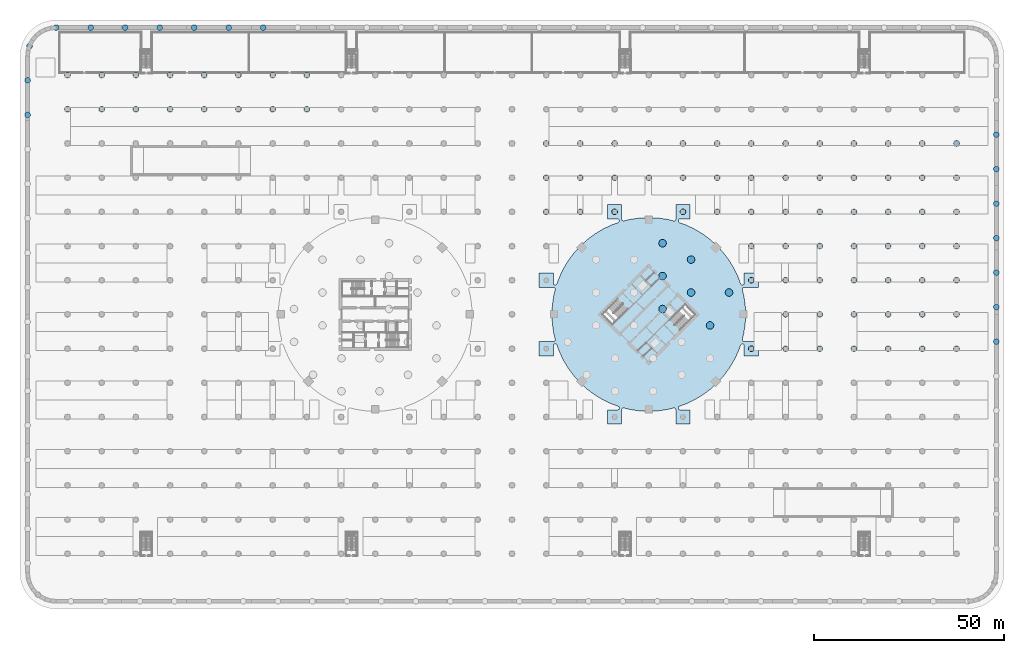
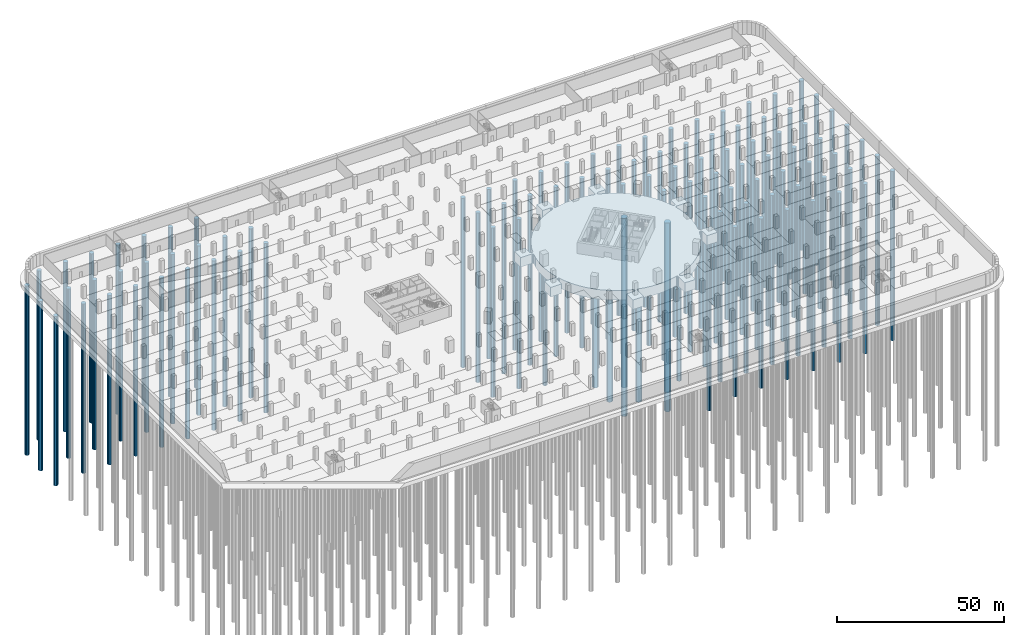
# One storey, part 4 of 39: 105 piles, 1 footing.
"""IFC4 building model written with IfcOpenShell, lengths in metres."""

from ifc_helpers import new_model, si_unit, direction, frame, origin, origin_2d, place, context, subcontext, project, spatial, polyline, circle, outline, extrude, material, layer, layer_set, material_profile, profile_set, type_object, element, save


model = new_model("IFC4")

# Units and contexts
model_context = context("Model", 3, precision=1e-05, world=origin(), true_north=direction((0.0, 1.0)))
body_context = subcontext(model_context, "Body", "Model", "MODEL_VIEW")
ifc_project = project(units=[si_unit("LENGTHUNIT", "METRE"), si_unit("AREAUNIT", "SQUARE_METRE"), si_unit("VOLUMEUNIT", "CUBIC_METRE"), si_unit("PLANEANGLEUNIT", "RADIAN"), si_unit("MASSUNIT", "GRAM", prefix="KILO")], contexts=[model_context])

# Site, building, storey
site_placement = place(None, origin())
site = spatial("IfcSite", under=ifc_project, at=site_placement, CompositionType="ELEMENT")
building_placement = place(site_placement, origin())
building = spatial("IfcBuilding", under=site, at=building_placement, Name="Ogive Gate Towers", CompositionType="ELEMENT")
storey_placement = place(building_placement, frame((0.0, 0.0, -9.0)))
storey = spatial("IfcBuildingStorey", under=building, at=storey_placement, Name="B2", CompositionType="ELEMENT", Elevation=-9.0)

# Piles
ifc_material = material(Name="Concrete C40/50", Category="concrete")
ifc_material_profile_1 = material_profile(ifc_material, circle(Radius=0.75, at=origin_2d()), Name="BP 1500")
ifc_profile_set_1 = profile_set([ifc_material_profile_1], Name="Concrete C40/50")
pile_type_1 = type_object("IfcPileType", Name="Bored pile 1500", PredefinedType="BORED", material=ifc_profile_set_1)
for number, where, z_axis, x_axis, name in (
    (1, (27.0, 27.0, -3.800048828125), (0.0, 0.0, -1.0), (1.0, 0.0, 0.0), "BS/B2/SPL035"),
    (2, (45.0, 27.0, -3.800048828125), (0.0, 0.0, -1.0), (1.0, 0.0, 0.0), "BS/B2/SPL037"),
    (3, (63.0, -9.0, -3.800048828125), (0.0, 0.0, -1.0), (1.0, 0.0, 0.0), "BS/B2/SPL038"),
    (4, (63.0, 9.0, -3.800048828125), (0.0, 0.0, -1.0), (1.0, 0.0, 0.0), "BS/B2/SPL039"),
    (5, (-117.0, 54.0, -1.800048828125), (0.0, 0.0, -1.0), (1.0, 0.0, 0.0), "BS/B2/SPL076"),
    (6, (-117.0, 63.0, -1.800048828125), (0.0, 0.0, -1.0), (1.0, 0.0, 0.0), "BS/B2/SPL077"),
    (7, (-108.0, 54.0, -1.800048828125), (0.0, 0.0, -1.0), (1.0, 0.0, 0.0), "BS/B2/SPL091"),
    (8, (-108.0, 63.0, -1.800048828125), (0.0, 0.0, -1.0), (1.0, 0.0, 0.0), "BS/B2/SPL092"),
    (9, (-99.0, 54.0, -1.800048828125), (0.0, 0.0, -1.0), (1.0, 0.0, 0.0), "BS/B2/SPL106"),
    (10, (-99.0, 63.0, -1.800048828125), (0.0, 0.0, -1.0), (1.0, 0.0, 0.0), "BS/B2/SPL107"),
    (11, (-90.0, 54.0, -1.800048828125), (0.0, 0.0, -1.0), (1.0, 0.0, 0.0), "BS/B2/SPL121"),
    (12, (-90.0, 63.0, -1.800048828125), (0.0, 0.0, -1.0), (1.0, 0.0, 0.0), "BS/B2/SPL122"),
    (13, (-81.0, 54.0, -1.800048828125), (0.0, 0.0, -1.0), (1.0, 0.0, 0.0), "BS/B2/SPL136"),
    (14, (-81.0, 63.0, -1.800048828125), (0.0, 0.0, -1.0), (1.0, 0.0, 0.0), "BS/B2/SPL137"),
    (15, (-72.0, 54.0, -1.800048828125), (0.0, 0.0, -1.0), (1.0, 0.0, 0.0), "BS/B2/SPL151"),
    (16, (-72.0, 63.0, -1.800048828125), (0.0, 0.0, -1.0), (1.0, 0.0, 0.0), "BS/B2/SPL152"),
    (17, (-63.0, 54.0, -1.800048828125), (0.0, 0.0, -1.0), (1.0, 0.0, 0.0), "BS/B2/SPL163"),
    (18, (-63.0, 63.0, -1.800048828125), (0.0, 0.0, -1.0), (1.0, 0.0, 0.0), "BS/B2/SPL164"),
    (19, (-54.0, 54.0, -1.800048828125), (0.0, 0.0, -1.0), (1.0, 0.0, 0.0), "BS/B2/SPL173"),
    (20, (-54.0, 63.0, -1.800048828125), (0.0, 0.0, -1.0), (1.0, 0.0, 0.0), "BS/B2/SPL174"),
    (21, (9.0, 27.0, -1.800048828125), (0.0, 0.0, -1.0), (1.0, 0.0, 0.0), "BS/B2/SPL243"),
    (22, (9.0, 36.0, -1.800048828125), (0.0, 0.0, -1.0), (1.0, 0.0, 0.0), "BS/B2/SPL244"),
    (23, (9.0, 45.0, -1.800048828125), (0.0, 0.0, -1.0), (1.0, 0.0, 0.0), "BS/B2/SPL245"),
    (24, (18.0, 27.0, -1.800048828125), (0.0, 0.0, -1.0), (1.0, 0.0, 0.0), "BS/B2/SPL253"),
    (25, (18.0, 36.0, -1.800048828125), (0.0, 0.0, -1.0), (1.0, 0.0, 0.0), "BS/B2/SPL254"),
    (26, (18.0, 45.0, -1.800048828125), (0.0, 0.0, -1.0), (1.0, 0.0, 0.0), "BS/B2/SPL255"),
    (27, (27.0, 36.0, -1.800048828125), (0.0, 0.0, -1.0), (1.0, 0.0, 0.0), "BS/B2/SPL262"),
    (28, (27.0, 45.0, -1.800048828125), (0.0, 0.0, -1.0), (1.0, 0.0, 0.0), "BS/B2/SPL263"),
    (29, (36.0, 36.0, -1.800048828125), (0.0, 0.0, -1.0), (1.0, 0.0, 0.0), "BS/B2/SPL270"),
    (30, (36.0, 45.0, -1.800048828125), (0.0, 0.0, -1.0), (1.0, 0.0, 0.0), "BS/B2/SPL271"),
    (31, (45.0, 36.0, -1.800048828125), (0.0, 0.0, -1.0), (1.0, 0.0, 0.0), "BS/B2/SPL278"),
    (32, (45.0, 45.0, -1.800048828125), (0.0, 0.0, -1.0), (1.0, 0.0, 0.0), "BS/B2/SPL279"),
    (33, (54.0, 27.0, -1.800048828125), (0.0, 0.0, -1.0), (1.0, 0.0, 0.0), "BS/B2/SPL287"),
    (34, (54.0, 36.0, -1.800048828125), (0.0, 0.0, -1.0), (1.0, 0.0, 0.0), "BS/B2/SPL288"),
    (35, (54.0, 45.0, -1.800048828125), (0.0, 0.0, -1.0), (1.0, 0.0, 0.0), "BS/B2/SPL289"),
    (36, (63.0, 18.0, -1.800048828125), (0.0, 0.0, -1.0), (1.0, 0.0, 0.0), "BS/B2/SPL298"),
    (37, (63.0, 27.0, -1.800048828125), (0.0, 0.0, -1.0), (1.0, 0.0, 0.0), "BS/B2/SPL299"),
    (38, (63.0, 36.0, -1.800048828125), (0.0, 0.0, -1.0), (1.0, 0.0, 0.0), "BS/B2/SPL300"),
    (39, (63.0, 45.0, -1.800048828125), (0.0, 0.0, -1.0), (1.0, 0.0, 0.0), "BS/B2/SPL301"),
    (40, (72.0, -9.0, -1.800048828125), (0.0, 0.0, -1.0), (1.0, 0.0, 0.0), "BS/B2/SPL310"),
    (41, (72.0, 0.0, -1.800048828125), (0.0, 0.0, -1.0), (1.0, 0.0, 0.0), "BS/B2/SPL311"),
    (42, (72.0, 9.0, -1.800048828125), (0.0, 0.0, -1.0), (1.0, 0.0, 0.0), "BS/B2/SPL312"),
    (43, (72.0, 18.0, -1.800048828125), (0.0, 0.0, -1.0), (1.0, 0.0, 0.0), "BS/B2/SPL313"),
    (44, (72.0, 27.0, -1.800048828125), (0.0, 0.0, -1.0), (1.0, 0.0, 0.0), "BS/B2/SPL314"),
    (45, (72.0, 36.0, -1.800048828125), (0.0, 0.0, -1.0), (1.0, 0.0, 0.0), "BS/B2/SPL315"),
    (46, (72.0, 45.0, -1.800048828125), (0.0, 0.0, -1.0), (1.0, 0.0, 0.0), "BS/B2/SPL316"),
    (47, (81.0, -9.0, -1.800048828125), (0.0, 0.0, -1.0), (1.0, 0.0, 0.0), "BS/B2/SPL325"),
    (48, (81.0, 0.0, -1.800048828125), (0.0, 0.0, -1.0), (1.0, 0.0, 0.0), "BS/B2/SPL326"),
    (49, (81.0, 9.0, -1.800048828125), (0.0, 0.0, -1.0), (1.0, 0.0, 0.0), "BS/B2/SPL327"),
    (50, (81.0, 18.0, -1.800048828125), (0.0, 0.0, -1.0), (1.0, 0.0, 0.0), "BS/B2/SPL328"),
    (51, (81.0, 27.0, -1.800048828125), (0.0, 0.0, -1.0), (1.0, 0.0, 0.0), "BS/B2/SPL329"),
    (52, (81.0, 36.0, -1.800048828125), (0.0, 0.0, -1.0), (1.0, 0.0, 0.0), "BS/B2/SPL330"),
    (53, (81.0, 45.0, -1.800048828125), (0.0, 0.0, -1.0), (1.0, 0.0, 0.0), "BS/B2/SPL331"),
    (54, (90.0, -9.0, -1.800048828125), (0.0, 0.0, -1.0), (1.0, 0.0, 0.0), "BS/B2/SPL340"),
    (55, (90.0, 0.0, -1.800048828125), (0.0, 0.0, -1.0), (1.0, 0.0, 0.0), "BS/B2/SPL341"),
    (56, (90.0, 9.0, -1.800048828125), (0.0, 0.0, -1.0), (1.0, 0.0, 0.0), "BS/B2/SPL342"),
    (57, (90.0, 18.0, -1.800048828125), (0.0, 0.0, -1.0), (1.0, 0.0, 0.0), "BS/B2/SPL343"),
    (58, (90.0, 27.0, -1.800048828125), (0.0, 0.0, -1.0), (1.0, 0.0, 0.0), "BS/B2/SPL344"),
    (59, (90.0, 36.0, -1.800048828125), (0.0, 0.0, -1.0), (1.0, 0.0, 0.0), "BS/B2/SPL345"),
    (60, (90.0, 45.0, -1.800048828125), (0.0, 0.0, -1.0), (1.0, 0.0, 0.0), "BS/B2/SPL346"),
    (61, (99.0, -9.0, -1.800048828125), (0.0, 0.0, -1.0), (1.0, 0.0, 0.0), "BS/B2/SPL355"),
    (62, (99.0, 0.0, -1.800048828125), (0.0, 0.0, -1.0), (1.0, 0.0, 0.0), "BS/B2/SPL356"),
    (63, (99.0, 9.0, -1.800048828125), (0.0, 0.0, -1.0), (1.0, 0.0, 0.0), "BS/B2/SPL357"),
    (64, (99.0, 18.0, -1.800048828125), (0.0, 0.0, -1.0), (1.0, 0.0, 0.0), "BS/B2/SPL358"),
    (65, (99.0, 27.0, -1.800048828125), (0.0, 0.0, -1.0), (1.0, 0.0, 0.0), "BS/B2/SPL359"),
    (66, (99.0, 36.0, -1.800048828125), (0.0, 0.0, -1.0), (1.0, 0.0, 0.0), "BS/B2/SPL360"),
    (67, (99.0, 45.0, -1.800048828125), (0.0, 0.0, -1.0), (1.0, 0.0, 0.0), "BS/B2/SPL361"),
    (68, (108.0, -9.0, -1.800048828125), (0.0, 0.0, -1.0), (1.0, 0.0, 0.0), "BS/B2/SPL370"),
    (69, (108.0, 0.0, -1.800048828125), (0.0, 0.0, -1.0), (1.0, 0.0, 0.0), "BS/B2/SPL371"),
    (70, (108.0, 9.0, -1.800048828125), (0.0, 0.0, -1.0), (1.0, 0.0, 0.0), "BS/B2/SPL372"),
    (71, (108.0, 18.0, -1.800048828125), (0.0, 0.0, -1.0), (1.0, 0.0, 0.0), "BS/B2/SPL373"),
    (72, (108.0, 27.0, -1.800048828125), (0.0, 0.0, -1.0), (1.0, 0.0, 0.0), "BS/B2/SPL374"),
    (73, (108.0, 36.0, -1.800048828125), (0.0, 0.0, -1.0), (1.0, 0.0, 0.0), "BS/B2/SPL375"),
    (74, (108.0, 45.0, -1.800048828125), (0.0, 0.0, -1.0), (1.0, 0.0, 0.0), "BS/B2/SPL376"),
    (75, (117.0, -9.0, -1.800048828125), (0.0, 0.0, -1.0), (1.0, 0.0, 0.0), "BS/B2/SPL385"),
    (76, (117.0, 0.0, -1.800048828125), (0.0, 0.0, -1.0), (1.0, 0.0, 0.0), "BS/B2/SPL386"),
    (77, (117.0, 9.0, -1.800048828125), (0.0, 0.0, -1.0), (1.0, 0.0, 0.0), "BS/B2/SPL387"),
    (78, (117.0, 18.0, -1.800048828125), (0.0, 0.0, -1.0), (1.0, 0.0, 0.0), "BS/B2/SPL388"),
    (79, (117.0, 27.0, -1.800048828125), (0.0, 0.0, -1.0), (1.0, 0.0, 0.0), "BS/B2/SPL389"),
    (80, (117.0, 36.0, -1.800048828125), (0.0, 0.0, -1.0), (1.0, 0.0, 0.0), "BS/B2/SPL390"),
    (81, (117.0, 45.0, -1.800048828125), (0.0, 0.0, -1.0), (1.0, 0.0, 0.0), "BS/B2/SPL391"),
    (82, (-127.5, 52.54296875, -1.800048828125), (0.0, 0.0, -1.0), (1.0, 0.0, 0.0), "BS/B2/SPL435"),
    (83, (-127.5, 61.623046875, -1.800048828125), (0.0, 0.0, -1.0), (1.0, 0.0, 0.0), "BS/B2/SPL436"),
    (84, (-126.99609375, 70.64306640625, -1.800048828125), (0.0, 0.0, -1.0), (1.0, 0.0, 0.0), "BS/B2/SPL437"),
    (85, (-119.97509765625, 75.5, -1.800048828125), (0.0, 0.0, -1.0), (1.0, 0.0, 0.0), "BS/B2/SPL438"),
    (86, (-110.89599609375, 75.5, -1.800048828125), (0.0, 0.0, -1.0), (1.0, 0.0, 0.0), "BS/B2/SPL439"),
    (87, (-101.81591796875, 75.5, -1.800048828125), (0.0, 0.0, -1.0), (1.0, 0.0, 0.0), "BS/B2/SPL440"),
    (88, (-92.736083984375, 75.5, -1.800048828125), (0.0, 0.0, -1.0), (1.0, 0.0, 0.0), "BS/B2/SPL441"),
    (89, (-83.656005859375, 75.5, -1.800048828125), (0.0, 0.0, -1.0), (1.0, 0.0, 0.0), "BS/B2/SPL442"),
    (90, (-74.575927734375, 75.5, -1.800048828125), (0.0, 0.0, -1.0), (1.0, 0.0, 0.0), "BS/B2/SPL443"),
    (91, (-65.49609375, 75.5, -1.800048828125), (0.0, 0.0, -1.0), (1.0, 0.0, 0.0), "BS/B2/SPL444"),
    (92, (127.5, 47.3359375, -1.800048828125), (0.0, 0.0, -1.0), (1.0, 0.0, 0.0), "BS/B2/SPL468"),
    (93, (127.5, 38.256103515625, -1.800048828125), (0.0, 0.0, -1.0), (1.0, 0.0, 0.0), "BS/B2/SPL469"),
    (94, (127.5, 29.176025390625, -1.800048828125), (0.0, 0.0, -1.0), (1.0, 0.0, 0.0), "BS/B2/SPL470"),
    (95, (127.5, 20.095947265625, -1.800048828125), (0.0, 0.0, -1.0), (1.0, 0.0, 0.0), "BS/B2/SPL471"),
    (96, (127.5, 11.01611328125, -1.800048828125), (0.0, 0.0, -1.0), (1.0, 0.0, 0.0), "BS/B2/SPL472"),
    (97, (127.5, 1.93603515625, -1.800048828125), (0.0, 0.0, -1.0), (1.0, 0.0, 0.0), "BS/B2/SPL473"),
    (98, (127.5, -7.14404296875, -1.800048828125), (0.0, 0.0, -1.0), (1.0, 0.0, 0.0), "BS/B2/SPL474"),
):
    element("IfcPile", number, at=place(storey_placement, frame(where, z_axis=z_axis, x_axis=x_axis)), inside=storey, type_object=pile_type_1, Name=name, PredefinedType="BORED", context=body_context, shape_type="SweptSolid", body=[
        extrude(circle(Radius=0.75, at=origin_2d()), origin(), (0.0, 0.0, 1.0), 62.0),
    ])
ifc_material_profile_2 = material_profile(ifc_material, circle(Radius=1.0, at=origin_2d()), Name="BP 2000")
ifc_profile_set_2 = profile_set([ifc_material_profile_2], Name="Concrete C40/50")
pile_type_2 = type_object("IfcPileType", Name="Bored pile 2000", PredefinedType="BORED", material=ifc_profile_set_2)
for number, where, z_axis, x_axis, name in (
    (99, (52.125, -2.89404296875, -3.800048828125), (0.0, 0.0, -1.0), (1.0, 0.0, 0.0), "BS/B2/SPL051"),
    (100, (39.625, 1.43603515625, -3.800048828125), (0.0, 0.0, -1.0), (1.0, 0.0, 0.0), "BS/B2/SPL053"),
    (101, (47.125, 5.76611328125, -3.800048828125), (0.0, 0.0, -1.0), (1.0, 0.0, 0.0), "BS/B2/SPL056"),
    (102, (57.125, 5.76611328125, -3.800048828125), (0.0, 0.0, -1.0), (1.0, 0.0, 0.0), "BS/B2/SPL057"),
    (103, (39.625, 10.095947265625, -3.800048828125), (0.0, 0.0, -1.0), (1.0, 0.0, 0.0), "BS/B2/SPL058"),
    (104, (47.125, 14.426025390625, -3.800048828125), (0.0, 0.0, -1.0), (1.0, 0.0, 0.0), "BS/B2/SPL061"),
    (105, (39.625, 18.756103515625, -3.800048828125), (0.0, 0.0, -1.0), (1.0, 0.0, 0.0), "BS/B2/SPL062"),
):
    element("IfcPile", number, at=place(storey_placement, frame(where, z_axis=z_axis, x_axis=x_axis)), inside=storey, type_object=pile_type_2, Name=name, PredefinedType="BORED", context=body_context, shape_type="SweptSolid", body=[
        extrude(circle(Radius=1.0, at=origin_2d()), origin(), (0.0, 0.0, 1.0), 62.0),
    ])

# Footing
ifc_layer = layer(ifc_material, 3.5)
ifc_layer_set = layer_set([ifc_layer], Name="Piled raft 3500")
footing_type = type_object("IfcFootingType", Name="Piled raft 3500", PredefinedType="PILE_CAP", material=ifc_layer_set)
footing_placement = place(storey_placement, frame((0.0, 0.0, -3.89990234375)))
element("IfcFooting", 106, at=footing_placement, inside=storey, type_object=footing_type, Name="BS/B2/SFT002", PredefinedType="PILE_CAP", context=body_context, shape_type="SweptSolid", body=[
    extrude(outline(polyline([(7.12548828125, -10.87451171875), (7.13720703125, -10.875), (10.86279296875, -10.875), (10.87451171875, -10.87451171875), (10.875, -10.86279296875), (10.875, -8.26318359375), (10.87744140625, -8.21484375), (10.88427734375, -8.167236328125), (10.895751953125, -8.120361328125), (10.911865234375, -8.074951171875), (10.93212890625, -8.03125), (10.95654296875, -7.989501953125), (10.98486328125, -7.950439453125), (11.0166015625, -7.914306640625), (11.052001953125, -7.881591796875), (11.09033203125, -7.85205078125), (11.131103515625, -7.82666015625), (11.17431640625, -7.80517578125), (11.219482421875, -7.787841796875), (11.265869140625, -7.775146484375), (11.3134765625, -7.766845703125), (11.361572265625, -7.76318359375), (11.40966796875, -7.764404296875), (11.45751953125, -7.77001953125), (11.504638671875, -7.7802734375), (11.550537109375, -7.794921875), (11.594970703125, -7.81396484375), (11.63720703125, -7.83740234375), (11.677001953125, -7.864501953125), (11.7138671875, -7.8955078125), (11.747802734375, -7.929931640625), (11.778076171875, -7.96728515625), (11.8046875, -8.007568359375), (11.827392578125, -8.050048828125), (11.845703125, -8.0947265625), (12.43701171875, -9.746826171875), (12.4462890625, -9.76953125), (13.505859375, -12.009521484375), (13.517333984375, -12.03125), (14.791259765625, -14.156494140625), (14.804931640625, -14.177001953125), (16.281005859375, -16.167236328125), (16.29638671875, -16.18603515625), (17.96044921875, -18.022216796875), (17.977783203125, -18.03955078125), (19.81396484375, -19.70361328125), (19.832763671875, -19.718994140625), (21.822998046875, -21.195068359375), (21.843505859375, -21.208740234375), (23.96875, -22.482666015625), (23.990478515625, -22.494140625), (26.23046875, -23.5537109375), (26.253173828125, -23.56298828125), (27.9052734375, -24.154296875), (27.951416015625, -24.17333984375), (27.995361328125, -24.197021484375), (28.036865234375, -24.224853515625), (28.0751953125, -24.2568359375), (28.1103515625, -24.29248046875), (28.1416015625, -24.331298828125), (28.1689453125, -24.373291015625), (28.19189453125, -24.41748046875), (28.210205078125, -24.464111328125), (28.223876953125, -24.511962890625), (28.23291015625, -24.561279296875), (28.236572265625, -24.611083984375), (28.235595703125, -24.660888671875), (28.2294921875, -24.71044921875), (28.218505859375, -24.75927734375), (28.20263671875, -24.806640625), (28.182373046875, -24.85205078125), (28.157470703125, -24.8955078125), (28.12841796875, -24.93603515625), (28.095458984375, -24.9736328125), (28.058837890625, -25.007568359375), (28.01904296875, -25.037841796875), (27.976318359375, -25.06396484375), (27.931396484375, -25.085693359375), (27.884521484375, -25.102783203125), (27.836181640625, -25.114990234375), (27.786865234375, -25.12255859375), (27.73681640625, -25.125), (25.13720703125, -25.125), (25.12548828125, -25.12548828125), (25.125, -25.13720703125), (25.125, -28.86279296875), (25.12548828125, -28.87451171875), (25.13720703125, -28.875), (28.86279296875, -28.875), (28.87451171875, -28.87451171875), (28.875, -28.86279296875), (28.875, -25.13720703125), (28.875, -25.136474609375), (28.875, -25.08740234375), (28.8798828125, -25.03857421875), (28.889404296875, -24.990478515625), (28.903564453125, -24.943603515625), (28.92236328125, -24.898193359375), (28.945556640625, -24.85498046875), (28.97265625, -24.814208984375), (29.00390625, -24.776123046875), (29.03857421875, -24.741455078125), (29.076416015625, -24.71044921875), (29.1171875, -24.68310546875), (29.16064453125, -24.659912109375), (29.205810546875, -24.64111328125), (29.2529296875, -24.626953125), (29.301025390625, -24.617431640625), (29.349853515625, -24.612548828125), (29.39892578125, -24.612548828125), (29.44775390625, -24.617431640625), (29.495849609375, -24.626953125), (31.01318359375, -25.007080078125), (31.037353515625, -25.01171875), (33.488525390625, -25.37548828125), (33.512939453125, -25.3779296875), (35.98779296875, -25.49951171875), (36.01220703125, -25.49951171875), (38.487060546875, -25.3779296875), (38.511474609375, -25.37548828125), (40.962646484375, -25.01171875), (40.98681640625, -25.007080078125), (42.504150390625, -24.626953125), (42.55224609375, -24.617431640625), (42.60107421875, -24.612548828125), (42.650146484375, -24.612548828125), (42.698974609375, -24.617431640625), (42.7470703125, -24.626953125), (42.794189453125, -24.64111328125), (42.83935546875, -24.659912109375), (42.8828125, -24.68310546875), (42.923583984375, -24.71044921875), (42.96142578125, -24.741455078125), (42.99609375, -24.776123046875), (43.02734375, -24.814208984375), (43.054443359375, -24.85498046875), (43.07763671875, -24.898193359375), (43.096435546875, -24.943603515625), (43.110595703125, -24.990478515625), (43.1201171875, -25.03857421875), (43.125, -25.08740234375), (43.125, -25.136474609375), (43.125, -25.13720703125), (43.125, -28.86279296875), (43.12548828125, -28.87451171875), (43.13720703125, -28.875), (46.86279296875, -28.875), (46.87451171875, -28.87451171875), (46.875, -28.86279296875), (46.875, -25.13720703125), (46.87451171875, -25.12548828125), (46.86279296875, -25.125), (44.26318359375, -25.125), (44.213134765625, -25.12255859375), (44.163818359375, -25.114990234375), (44.115478515625, -25.102783203125), (44.068603515625, -25.085693359375), (44.023681640625, -25.06396484375), (43.98095703125, -25.037841796875), (43.941162109375, -25.007568359375), (43.904541015625, -24.9736328125), (43.87158203125, -24.93603515625), (43.842529296875, -24.8955078125), (43.817626953125, -24.85205078125), (43.79736328125, -24.806640625), (43.781494140625, -24.75927734375), (43.7705078125, -24.71044921875), (43.764404296875, -24.660888671875), (43.763427734375, -24.611083984375), (43.76708984375, -24.561279296875), (43.776123046875, -24.511962890625), (43.789794921875, -24.464111328125), (43.80810546875, -24.41748046875), (43.8310546875, -24.373291015625), (43.8583984375, -24.331298828125), (43.8896484375, -24.29248046875), (43.9248046875, -24.2568359375), (43.963134765625, -24.224853515625), (44.004638671875, -24.197021484375), (44.048583984375, -24.17333984375), (44.0947265625, -24.154296875), (45.746826171875, -23.56298828125), (45.76953125, -23.5537109375), (48.009521484375, -22.494140625), (48.03125, -22.482666015625), (50.156494140625, -21.208740234375), (50.177001953125, -21.195068359375), (52.167236328125, -19.718994140625), (52.18603515625, -19.70361328125), (54.022216796875, -18.03955078125), (54.03955078125, -18.022216796875), (55.70361328125, -16.18603515625), (55.718994140625, -16.167236328125), (57.195068359375, -14.177001953125), (57.208740234375, -14.156494140625), (58.482666015625, -12.03125), (58.494140625, -12.009521484375), (59.5537109375, -9.76953125), (59.56298828125, -9.746826171875), (60.154296875, -8.0947265625), (60.17333984375, -8.048583984375), (60.197021484375, -8.004638671875), (60.224853515625, -7.963134765625), (60.2568359375, -7.9248046875), (60.29248046875, -7.8896484375), (60.331298828125, -7.8583984375), (60.373291015625, -7.8310546875), (60.41748046875, -7.80810546875), (60.464111328125, -7.789794921875), (60.511962890625, -7.776123046875), (60.561279296875, -7.76708984375), (60.611083984375, -7.763427734375), (60.660888671875, -7.764404296875), (60.71044921875, -7.7705078125), (60.75927734375, -7.781494140625), (60.806640625, -7.79736328125), (60.85205078125, -7.817626953125), (60.8955078125, -7.842529296875), (60.93603515625, -7.87158203125), (60.9736328125, -7.904541015625), (61.007568359375, -7.941162109375), (61.037841796875, -7.98095703125), (61.06396484375, -8.023681640625), (61.085693359375, -8.068603515625), (61.102783203125, -8.115478515625), (61.114990234375, -8.163818359375), (61.12255859375, -8.213134765625), (61.125, -8.26318359375), (61.125, -10.86279296875), (61.12548828125, -10.87451171875), (61.13720703125, -10.875), (64.86279296875, -10.875), (64.87451171875, -10.87451171875), (64.875, -10.86279296875), (64.875, -7.13720703125), (64.87451171875, -7.12548828125), (64.86279296875, -7.125), (61.13720703125, -7.125), (61.136474609375, -7.125), (61.08740234375, -7.125), (61.03857421875, -7.1201171875), (60.990478515625, -7.110595703125), (60.943603515625, -7.096435546875), (60.898193359375, -7.07763671875), (60.85498046875, -7.054443359375), (60.814208984375, -7.02734375), (60.776123046875, -6.99609375), (60.741455078125, -6.96142578125), (60.71044921875, -6.923583984375), (60.68310546875, -6.8828125), (60.659912109375, -6.83935546875), (60.64111328125, -6.794189453125), (60.626953125, -6.7470703125), (60.617431640625, -6.698974609375), (60.612548828125, -6.650146484375), (60.612548828125, -6.60107421875), (60.617431640625, -6.55224609375), (60.626953125, -6.504150390625), (61.007080078125, -4.98681640625), (61.01171875, -4.962646484375), (61.37548828125, -2.511474609375), (61.3779296875, -2.487060546875), (61.49951171875, -0.01220703125), (61.49951171875, 0.01220703125), (61.3779296875, 2.487060546875), (61.37548828125, 2.511474609375), (61.01171875, 4.962646484375), (61.007080078125, 4.98681640625), (60.626953125, 6.504150390625), (60.617431640625, 6.55224609375), (60.612548828125, 6.60107421875), (60.612548828125, 6.650146484375), (60.617431640625, 6.698974609375), (60.626953125, 6.7470703125), (60.64111328125, 6.794189453125), (60.659912109375, 6.83935546875), (60.68310546875, 6.8828125), (60.71044921875, 6.923583984375), (60.741455078125, 6.96142578125), (60.776123046875, 6.99609375), (60.814208984375, 7.02734375), (60.85498046875, 7.054443359375), (60.898193359375, 7.07763671875), (60.943603515625, 7.096435546875), (60.990478515625, 7.110595703125), (61.03857421875, 7.1201171875), (61.08740234375, 7.125), (61.136474609375, 7.125), (61.13720703125, 7.125), (64.86279296875, 7.125), (64.87451171875, 7.12548828125), (64.875, 7.13720703125), (64.875, 10.86279296875), (64.87451171875, 10.87451171875), (64.86279296875, 10.875), (61.13720703125, 10.875), (61.12548828125, 10.87451171875), (61.125, 10.86279296875), (61.125, 8.26318359375), (61.12255859375, 8.21484375), (61.11572265625, 8.167236328125), (61.104248046875, 8.120361328125), (61.088134765625, 8.074951171875), (61.06787109375, 8.03125), (61.04345703125, 7.989501953125), (61.01513671875, 7.950439453125), (60.9833984375, 7.914306640625), (60.947998046875, 7.881591796875), (60.90966796875, 7.85205078125), (60.868896484375, 7.82666015625), (60.82568359375, 7.80517578125), (60.780517578125, 7.787841796875), (60.734130859375, 7.775146484375), (60.6865234375, 7.766845703125), (60.638427734375, 7.76318359375), (60.59033203125, 7.764404296875), (60.54248046875, 7.77001953125), (60.495361328125, 7.7802734375), (60.449462890625, 7.794921875), (60.405029296875, 7.81396484375), (60.36279296875, 7.83740234375), (60.322998046875, 7.864501953125), (60.2861328125, 7.8955078125), (60.252197265625, 7.929931640625), (60.221923828125, 7.96728515625), (60.1953125, 8.007568359375), (60.172607421875, 8.050048828125), (60.154296875, 8.0947265625), (59.56298828125, 9.746826171875), (59.5537109375, 9.76953125), (58.494140625, 12.009521484375), (58.482666015625, 12.03125), (57.208740234375, 14.156494140625), (57.195068359375, 14.177001953125), (55.718994140625, 16.167236328125), (55.70361328125, 16.18603515625), (54.03955078125, 18.022216796875), (54.022216796875, 18.03955078125), (52.18603515625, 19.70361328125), (52.167236328125, 19.718994140625), (50.177001953125, 21.195068359375), (50.156494140625, 21.208740234375), (48.03125, 22.482666015625), (48.009521484375, 22.494140625), (45.76953125, 23.5537109375), (45.746826171875, 23.56298828125), (44.0947265625, 24.154296875), (44.048583984375, 24.17333984375), (44.004638671875, 24.197021484375), (43.963134765625, 24.224853515625), (43.9248046875, 24.2568359375), (43.8896484375, 24.29248046875), (43.8583984375, 24.331298828125), (43.8310546875, 24.373291015625), (43.80810546875, 24.41748046875), (43.789794921875, 24.464111328125), (43.776123046875, 24.511962890625), (43.76708984375, 24.561279296875), (43.763427734375, 24.611083984375), (43.764404296875, 24.660888671875), (43.7705078125, 24.71044921875), (43.781494140625, 24.75927734375), (43.79736328125, 24.806640625), (43.817626953125, 24.85205078125), (43.842529296875, 24.8955078125), (43.87158203125, 24.93603515625), (43.904541015625, 24.9736328125), (43.941162109375, 25.007568359375), (43.98095703125, 25.037841796875), (44.023681640625, 25.06396484375), (44.068603515625, 25.085693359375), (44.115478515625, 25.102783203125), (44.163818359375, 25.114990234375), (44.213134765625, 25.12255859375), (44.26318359375, 25.125), (46.86279296875, 25.125), (46.87451171875, 25.12548828125), (46.875, 25.13720703125), (46.875, 28.86279296875), (46.87451171875, 28.87451171875), (46.86279296875, 28.875), (43.13720703125, 28.875), (43.12548828125, 28.87451171875), (43.125, 28.86279296875), (43.125, 25.13720703125), (43.125, 25.136474609375), (43.125, 25.08740234375), (43.1201171875, 25.03857421875), (43.110595703125, 24.990478515625), (43.096435546875, 24.943603515625), (43.07763671875, 24.898193359375), (43.054443359375, 24.85498046875), (43.02734375, 24.814208984375), (42.99609375, 24.776123046875), (42.96142578125, 24.741455078125), (42.923583984375, 24.71044921875), (42.8828125, 24.68310546875), (42.83935546875, 24.659912109375), (42.794189453125, 24.64111328125), (42.7470703125, 24.626953125), (42.698974609375, 24.617431640625), (42.650146484375, 24.612548828125), (42.60107421875, 24.612548828125), (42.55224609375, 24.617431640625), (42.504150390625, 24.626953125), (40.98681640625, 25.007080078125), (40.962646484375, 25.01171875), (38.511474609375, 25.37548828125), (38.487060546875, 25.3779296875), (36.01220703125, 25.49951171875), (35.98779296875, 25.49951171875), (33.512939453125, 25.3779296875), (33.488525390625, 25.37548828125), (31.037353515625, 25.01171875), (31.01318359375, 25.007080078125), (29.495849609375, 24.626953125), (29.44775390625, 24.617431640625), (29.39892578125, 24.612548828125), (29.349853515625, 24.612548828125), (29.301025390625, 24.617431640625), (29.2529296875, 24.626953125), (29.205810546875, 24.64111328125), (29.16064453125, 24.659912109375), (29.1171875, 24.68310546875), (29.076416015625, 24.71044921875), (29.03857421875, 24.741455078125), (29.00390625, 24.776123046875), (28.97265625, 24.814208984375), (28.945556640625, 24.85498046875), (28.92236328125, 24.898193359375), (28.903564453125, 24.943603515625), (28.889404296875, 24.990478515625), (28.8798828125, 25.03857421875), (28.875, 25.08740234375), (28.875, 25.136474609375), (28.875, 25.13720703125), (28.875, 28.86279296875), (28.87451171875, 28.87451171875), (28.86279296875, 28.875), (25.13720703125, 28.875), (25.12548828125, 28.87451171875), (25.125, 28.86279296875), (25.125, 25.13720703125), (25.12548828125, 25.12548828125), (25.13720703125, 25.125), (27.73681640625, 25.125), (27.786865234375, 25.12255859375), (27.836181640625, 25.114990234375), (27.884521484375, 25.102783203125), (27.931396484375, 25.085693359375), (27.976318359375, 25.06396484375), (28.01904296875, 25.037841796875), (28.058837890625, 25.007568359375), (28.095458984375, 24.9736328125), (28.12841796875, 24.93603515625), (28.157470703125, 24.8955078125), (28.182373046875, 24.85205078125), (28.20263671875, 24.806640625), (28.218505859375, 24.75927734375), (28.2294921875, 24.71044921875), (28.235595703125, 24.660888671875), (28.236572265625, 24.611083984375), (28.23291015625, 24.561279296875), (28.223876953125, 24.511962890625), (28.210205078125, 24.464111328125), (28.19189453125, 24.41748046875), (28.1689453125, 24.373291015625), (28.1416015625, 24.331298828125), (28.1103515625, 24.29248046875), (28.0751953125, 24.2568359375), (28.036865234375, 24.224853515625), (27.995361328125, 24.197021484375), (27.951416015625, 24.17333984375), (27.9052734375, 24.154296875), (26.253173828125, 23.56298828125), (26.23046875, 23.5537109375), (23.990478515625, 22.494140625), (23.96875, 22.482666015625), (21.843505859375, 21.208740234375), (21.822998046875, 21.195068359375), (19.832763671875, 19.718994140625), (19.81396484375, 19.70361328125), (17.977783203125, 18.03955078125), (17.96044921875, 18.022216796875), (16.29638671875, 16.18603515625), (16.281005859375, 16.167236328125), (14.804931640625, 14.177001953125), (14.791259765625, 14.156494140625), (13.517333984375, 12.03125), (13.505859375, 12.009521484375), (12.4462890625, 9.76953125), (12.43701171875, 9.746826171875), (11.845703125, 8.0947265625), (11.827392578125, 8.050048828125), (11.8046875, 8.007568359375), (11.778076171875, 7.96728515625), (11.747802734375, 7.929931640625), (11.7138671875, 7.8955078125), (11.677001953125, 7.864501953125), (11.63720703125, 7.83740234375), (11.594970703125, 7.81396484375), (11.550537109375, 7.794921875), (11.504638671875, 7.7802734375), (11.45751953125, 7.77001953125), (11.40966796875, 7.764404296875), (11.361572265625, 7.76318359375), (11.3134765625, 7.766845703125), (11.265869140625, 7.775146484375), (11.219482421875, 7.787841796875), (11.17431640625, 7.80517578125), (11.131103515625, 7.82666015625), (11.09033203125, 7.85205078125), (11.052001953125, 7.881591796875), (11.0166015625, 7.914306640625), (10.98486328125, 7.950439453125), (10.95654296875, 7.989501953125), (10.93212890625, 8.03125), (10.911865234375, 8.074951171875), (10.895751953125, 8.120361328125), (10.88427734375, 8.167236328125), (10.87744140625, 8.21484375), (10.875, 8.26318359375), (10.875, 10.86279296875), (10.87451171875, 10.87451171875), (10.86279296875, 10.875), (7.13720703125, 10.875), (7.12548828125, 10.87451171875), (7.125, 10.86279296875), (7.125, 7.13720703125), (7.12548828125, 7.12548828125), (7.13720703125, 7.125), (10.86279296875, 7.125), (10.863525390625, 7.125), (10.91259765625, 7.125), (10.96142578125, 7.1201171875), (11.009521484375, 7.110595703125), (11.056396484375, 7.096435546875), (11.101806640625, 7.07763671875), (11.14501953125, 7.054443359375), (11.185791015625, 7.02734375), (11.223876953125, 6.99609375), (11.258544921875, 6.96142578125), (11.28955078125, 6.923583984375), (11.31689453125, 6.8828125), (11.340087890625, 6.83935546875), (11.35888671875, 6.794189453125), (11.373046875, 6.7470703125), (11.382568359375, 6.698974609375), (11.387451171875, 6.650146484375), (11.387451171875, 6.60107421875), (11.382568359375, 6.55224609375), (11.373046875, 6.504150390625), (10.992919921875, 4.98681640625), (10.98828125, 4.962646484375), (10.62451171875, 2.511474609375), (10.6220703125, 2.487060546875), (10.50048828125, 0.01220703125), (10.50048828125, -0.01220703125), (10.6220703125, -2.487060546875), (10.62451171875, -2.511474609375), (10.98828125, -4.962646484375), (10.992919921875, -4.98681640625), (11.373046875, -6.504150390625), (11.382568359375, -6.55224609375), (11.387451171875, -6.60107421875), (11.387451171875, -6.650146484375), (11.382568359375, -6.698974609375), (11.373046875, -6.7470703125), (11.35888671875, -6.794189453125), (11.340087890625, -6.83935546875), (11.31689453125, -6.8828125), (11.28955078125, -6.923583984375), (11.258544921875, -6.96142578125), (11.223876953125, -6.99609375), (11.185791015625, -7.02734375), (11.14501953125, -7.054443359375), (11.101806640625, -7.07763671875), (11.056396484375, -7.096435546875), (11.009521484375, -7.110595703125), (10.96142578125, -7.1201171875), (10.91259765625, -7.125), (10.863525390625, -7.125), (10.86279296875, -7.125), (7.13720703125, -7.125), (7.12548828125, -7.12548828125), (7.125, -7.13720703125), (7.125, -10.86279296875), (7.12548828125, -10.87451171875)])), origin(), (0.0, 0.0, 1.0), 3.5),
])

save(model, "model.ifc")
